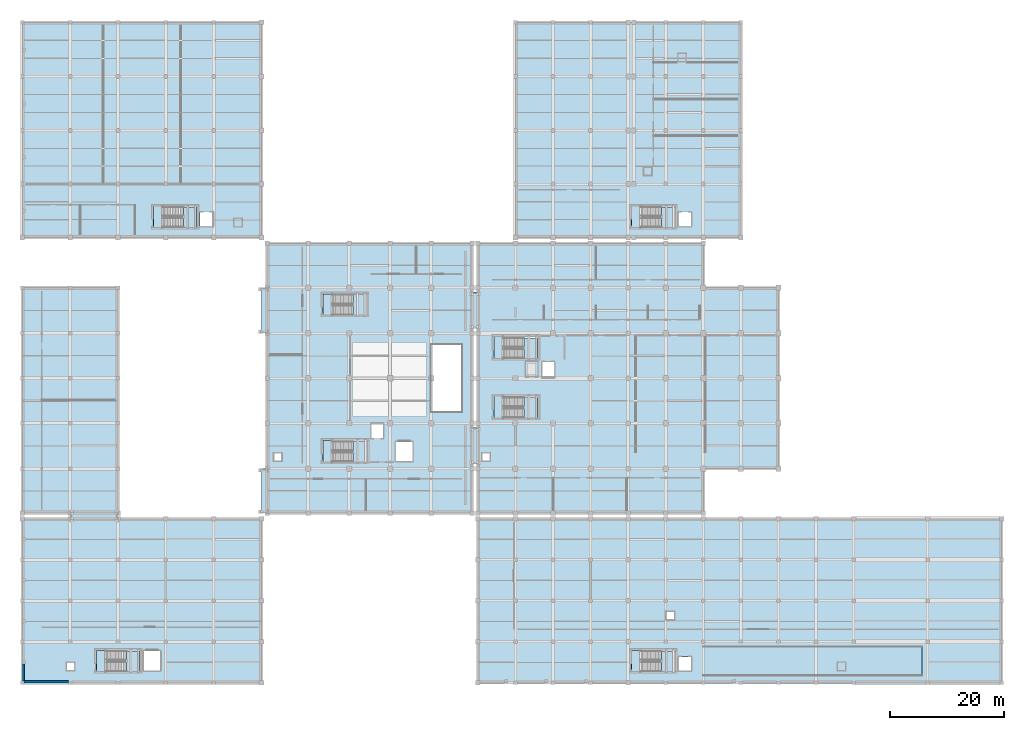
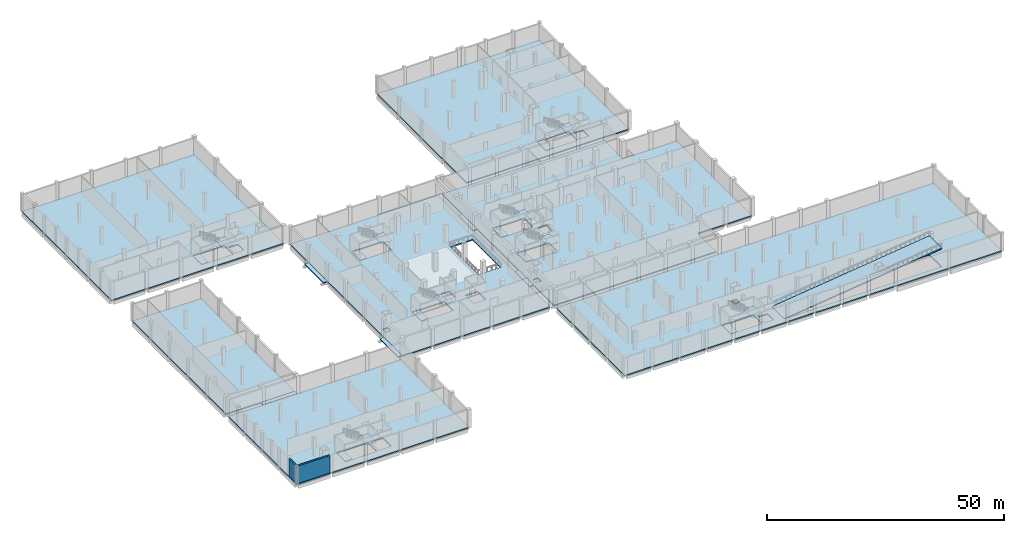
# One storey, part 11 of 31: 29 slabs, 2 walls, 8 elements without a shape of their own.
"""IFC4 building model written with IfcOpenShell, lengths in metres."""

from ifc_helpers import new_model, si_unit, direction, frame, frame_2d, origin, place, context, subcontext, project, spatial, polyline, rectangle, outline, extrude, material, layer, layer_set, type_object, element, aggregate, save


model = new_model("IFC4")

# Units and contexts
model_context = context("Model", 3, precision=1e-05, world=origin(), true_north=direction((0.0, 1.0)))
body_context = subcontext(model_context, "Body", "Model", "MODEL_VIEW")
ifc_project = project(units=[si_unit("LENGTHUNIT", "METRE"), si_unit("AREAUNIT", "SQUARE_METRE"), si_unit("VOLUMEUNIT", "CUBIC_METRE"), si_unit("PLANEANGLEUNIT", "RADIAN"), si_unit("MASSUNIT", "GRAM", prefix="KILO")], contexts=[model_context])

# Site, building, storey
site_placement = place(None, origin())
site = spatial("IfcSite", under=ifc_project, at=site_placement, CompositionType="ELEMENT")
building_placement = place(site_placement, origin())
building = spatial("IfcBuilding", under=site, at=building_placement, Name="Kelarvand Opera House", CompositionType="ELEMENT")
storey_placement = place(building_placement, frame((0.0, 0.0, -4.800048828125)))
storey = spatial("IfcBuildingStorey", under=building, at=storey_placement, Name="B1", CompositionType="ELEMENT", Elevation=-4.800048828125)

# Slabs
ifc_material = material(Name="Concrete C35/45", Category="concrete")
ifc_layer_1 = layer(ifc_material, 0.219970703125, Name="Concrete C35/45", Category="concrete")
ifc_layer_set_1 = layer_set([ifc_layer_1], Name="Concrete C35/45")
slab_type_1 = type_object("IfcSlabType", Name="Core Stair Entry Landing Slab 220", PredefinedType="LANDING", material=ifc_layer_set_1)
slab_1_placement = place(storey_placement, frame((0.0, 0.0, -0.219970703125)))
element("IfcSlab", 1, at=slab_1_placement, inside=storey, type_object=slab_type_1, Name="C1 Stair Entry Landing B1", PredefinedType="LANDING", context=body_context, shape_type="SweptSolid", body=[
    extrude(outline(polyline([(91.800048828125, 66.0), (93.52001953125, 66.0), (93.52001953125, 69.800048828125), (91.800048828125, 69.800048828125), (91.800048828125, 66.0)])), origin(), (0.0, 0.0, 1.0), 0.219970703125),
])
slab_2_placement = place(storey_placement, frame((0.0, 0.0, -0.219970703125)))
element("IfcSlab", 2, at=slab_2_placement, inside=storey, type_object=slab_type_1, Name="C2 Stair Entry Landing B1", PredefinedType="LANDING", context=body_context, shape_type="SweptSolid", body=[
    extrude(outline(polyline([(61.800048828125, 47.800048828125), (63.52001953125, 47.800048828125), (63.52001953125, 51.60009765625), (61.800048828125, 51.60009765625), (61.800048828125, 47.800048828125)])), origin(), (0.0, 0.0, 1.0), 0.219970703125),
])
slab_3_placement = place(storey_placement, frame((0.0, 0.0, -0.219970703125)))
element("IfcSlab", 3, at=slab_3_placement, inside=storey, type_object=slab_type_1, Name="C3 Stair Entry Landing B1", PredefinedType="LANDING", context=body_context, shape_type="SweptSolid", body=[
    extrude(outline(polyline([(61.800048828125, 73.60009765625), (63.52001953125, 73.60009765625), (63.52001953125, 77.300048828125), (61.800048828125, 77.300048828125), (61.800048828125, 73.60009765625)])), origin(), (0.0, 0.0, 1.0), 0.219970703125),
])
slab_4_placement = place(storey_placement, frame((0.0, 0.0, -0.219970703125)))
element("IfcSlab", 4, at=slab_4_placement, inside=storey, type_object=slab_type_1, Name="C4 Stair Entry Landing B1", PredefinedType="LANDING", context=body_context, shape_type="SweptSolid", body=[
    extrude(outline(polyline([(91.800048828125, 55.550048828125), (93.52001953125, 55.550048828125), (93.52001953125, 59.35009765625), (91.800048828125, 59.35009765625), (91.800048828125, 55.550048828125)])), origin(), (0.0, 0.0, 1.0), 0.219970703125),
])
slab_5_placement = place(storey_placement, frame((0.0, 0.0, -0.219970703125)))
element("IfcSlab", 5, at=slab_5_placement, inside=storey, type_object=slab_type_1, Name="C5 Stair Entry Landing B1", PredefinedType="LANDING", context=body_context, shape_type="SweptSolid", body=[
    extrude(outline(polyline([(32.0, 89.0), (33.719970703125, 89.0), (33.719970703125, 92.699951171875), (32.0, 92.699951171875), (32.0, 89.0)])), origin(), (0.0, 0.0, 1.0), 0.219970703125),
])
slab_6_placement = place(storey_placement, frame((0.0, 0.0, -0.219970703125)))
element("IfcSlab", 6, at=slab_6_placement, inside=storey, type_object=slab_type_1, Name="C6 Stair Entry Landing B1", PredefinedType="LANDING", context=body_context, shape_type="SweptSolid", body=[
    extrude(outline(polyline([(22.0, 11.0), (23.719970703125, 11.0), (23.719970703125, 14.699951171875), (22.0, 14.699951171875), (22.0, 11.0)])), origin(), (0.0, 0.0, 1.0), 0.219970703125),
])
slab_7_placement = place(storey_placement, frame((0.0, 0.0, -0.219970703125)))
element("IfcSlab", 7, at=slab_7_placement, inside=storey, type_object=slab_type_1, Name="C7 Stair Entry Landing B1", PredefinedType="LANDING", context=body_context, shape_type="SweptSolid", body=[
    extrude(outline(polyline([(116.0, 89.0), (117.719970703125, 89.0), (117.719970703125, 92.699951171875), (116.0, 92.699951171875), (116.0, 89.0)])), origin(), (0.0, 0.0, 1.0), 0.219970703125),
])
slab_8_placement = place(storey_placement, frame((0.0, 0.0, -0.219970703125)))
element("IfcSlab", 8, at=slab_8_placement, inside=storey, type_object=slab_type_1, Name="C8 Stair Entry Landing B1", PredefinedType="LANDING", context=body_context, shape_type="SweptSolid", body=[
    extrude(outline(polyline([(116.0, 11.0), (117.719970703125, 11.0), (117.719970703125, 14.699951171875), (116.0, 14.699951171875), (116.0, 11.0)])), origin(), (0.0, 0.0, 1.0), 0.219970703125),
])

# Stair, slab
stair_type = type_object("IfcStairType", Name="Dogleg Concrete Exit Stair 1660mm 28R STA-01", PredefinedType="HALF_TURN_STAIR", material=ifc_material)
stair_1_placement = place(storey_placement, origin())
stair_1 = element("IfcStair", 9, at=stair_1_placement, inside=storey, type_object=stair_type, Name="B1 Auditorium North Firefighting and Public Core C1 Stair ST-01", PredefinedType="HALF_TURN_STAIR")
ifc_layer_2 = layer(ifc_material, 0.199951171875, Name="Concrete C35/45", Category="concrete")
ifc_layer_set_2 = layer_set([ifc_layer_2], Name="Concrete C35/45")
slab_type_2 = type_object("IfcSlabType", Name="Precast Stair Half-Landing Slab 200", PredefinedType="LANDING", material=ifc_layer_set_2)
slab_9_placement = place(storey_placement, frame((0.0, 0.0, 2.199951171875)))
slab_9 = element("IfcSlab", 10, at=slab_9_placement, type_object=slab_type_2, Name="ST-01 landing 1", PredefinedType="LANDING", context=body_context, shape_type="SweptSolid", body=[
    extrude(outline(polyline([(97.10009765625, 66.0), (99.60009765625, 66.0), (99.60009765625, 69.60009765625), (97.10009765625, 69.60009765625), (97.10009765625, 66.0)])), origin(), (0.0, 0.0, 1.0), 0.2001953125),
])
aggregate(stair_1, [slab_9])

stair_2_placement = place(storey_placement, origin())
stair_2 = element("IfcStair", 11, at=stair_2_placement, inside=storey, type_object=stair_type, Name="B1 Stage House South Firefighting and Goods Core C2 Stair ST-02", PredefinedType="HALF_TURN_STAIR")
slab_10_placement = place(storey_placement, frame((0.0, 0.0, 2.199951171875)))
slab_10 = element("IfcSlab", 12, at=slab_10_placement, type_object=slab_type_2, Name="ST-02 landing 1", PredefinedType="LANDING", context=body_context, shape_type="SweptSolid", body=[
    extrude(outline(polyline([(67.10009765625, 47.800048828125), (69.60009765625, 47.800048828125), (69.60009765625, 51.39990234375), (67.10009765625, 51.39990234375), (67.10009765625, 47.800048828125)])), origin(), (0.0, 0.0, 1.0), 0.2001953125),
])
aggregate(stair_2, [slab_10])

stair_3_placement = place(storey_placement, origin())
stair_3 = element("IfcStair", 13, at=stair_3_placement, inside=storey, type_object=stair_type, Name="B1 Fly Tower North Technical Core C3 Stair ST-03", PredefinedType="HALF_TURN_STAIR")
slab_11_placement = place(storey_placement, frame((0.0, 0.0, 2.199951171875)))
slab_11 = element("IfcSlab", 14, at=slab_11_placement, type_object=slab_type_2, Name="ST-03 landing 1", PredefinedType="LANDING", context=body_context, shape_type="SweptSolid", body=[
    extrude(outline(polyline([(67.10009765625, 73.60009765625), (69.5, 73.60009765625), (69.5, 77.199951171875), (67.10009765625, 77.199951171875), (67.10009765625, 73.60009765625)])), origin(), (0.0, 0.0, 1.0), 0.2001953125),
])
aggregate(stair_3, [slab_11])

stair_4_placement = place(storey_placement, origin())
stair_4 = element("IfcStair", 15, at=stair_4_placement, inside=storey, type_object=stair_type, Name="B1 Auditorium South Foyer Core C4 Stair ST-04", PredefinedType="HALF_TURN_STAIR")
slab_12_placement = place(storey_placement, frame((0.0, 0.0, 2.199951171875)))
slab_12 = element("IfcSlab", 16, at=slab_12_placement, type_object=slab_type_2, Name="ST-04 landing 1", PredefinedType="LANDING", context=body_context, shape_type="SweptSolid", body=[
    extrude(outline(polyline([(97.10009765625, 55.550048828125), (99.60009765625, 55.550048828125), (99.60009765625, 59.14990234375), (97.10009765625, 59.14990234375), (97.10009765625, 55.550048828125)])), origin(), (0.0, 0.0, 1.0), 0.2001953125),
])
aggregate(stair_4, [slab_12])

stair_5_placement = place(storey_placement, origin())
stair_5 = element("IfcStair", 17, at=stair_5_placement, inside=storey, type_object=stair_type, Name="B1 Rehearsal Pavilion Core C5 Stair ST-05", PredefinedType="HALF_TURN_STAIR")
slab_13_placement = place(storey_placement, frame((0.0, 0.0, 2.199951171875)))
slab_13 = element("IfcSlab", 18, at=slab_13_placement, type_object=slab_type_2, Name="ST-05 landing 1", PredefinedType="LANDING", context=body_context, shape_type="SweptSolid", body=[
    extrude(outline(polyline([(37.300048828125, 89.0), (39.699951171875, 89.0), (39.699951171875, 92.60009765625), (37.300048828125, 92.60009765625), (37.300048828125, 89.0)])), origin(), (0.0, 0.0, 1.0), 0.2001953125),
])
aggregate(stair_5, [slab_13])

stair_6_placement = place(storey_placement, origin())
stair_6 = element("IfcStair", 19, at=stair_6_placement, inside=storey, type_object=stair_type, Name="B1 Scenery Workshop and Freight Core C6 Stair ST-06", PredefinedType="HALF_TURN_STAIR")
slab_14_placement = place(storey_placement, frame((0.0, 0.0, 2.199951171875)))
slab_14 = element("IfcSlab", 20, at=slab_14_placement, type_object=slab_type_2, Name="ST-06 landing 1", PredefinedType="LANDING", context=body_context, shape_type="SweptSolid", body=[
    extrude(outline(polyline([(27.300048828125, 11.0), (29.699951171875, 11.0), (29.699951171875, 14.60009765625), (27.300048828125, 14.60009765625), (27.300048828125, 11.0)])), origin(), (0.0, 0.0, 1.0), 0.2001953125),
])
aggregate(stair_6, [slab_14])

stair_7_placement = place(storey_placement, origin())
stair_7 = element("IfcStair", 21, at=stair_7_placement, inside=storey, type_object=stair_type, Name="B1 North Park Foyer Core C7 Stair ST-07", PredefinedType="HALF_TURN_STAIR")
slab_15_placement = place(storey_placement, frame((0.0, 0.0, 2.199951171875)))
slab_15 = element("IfcSlab", 22, at=slab_15_placement, type_object=slab_type_2, Name="ST-07 landing 1", PredefinedType="LANDING", context=body_context, shape_type="SweptSolid", body=[
    extrude(outline(polyline([(121.300048828125, 89.0), (123.699951171875, 89.0), (123.699951171875, 92.60009765625), (121.300048828125, 92.60009765625), (121.300048828125, 89.0)])), origin(), (0.0, 0.0, 1.0), 0.2001953125),
])
aggregate(stair_7, [slab_15])

stair_8_placement = place(storey_placement, origin())
stair_8 = element("IfcStair", 23, at=stair_8_placement, inside=storey, type_object=stair_type, Name="B1 South Dressing and Production Core C8 Stair ST-08", PredefinedType="HALF_TURN_STAIR")
slab_16_placement = place(storey_placement, frame((0.0, 0.0, 2.199951171875)))
slab_16 = element("IfcSlab", 24, at=slab_16_placement, type_object=slab_type_2, Name="ST-08 landing 1", PredefinedType="LANDING", context=body_context, shape_type="SweptSolid", body=[
    extrude(outline(polyline([(121.300048828125, 11.0), (123.699951171875, 11.0), (123.699951171875, 14.60009765625), (121.300048828125, 14.60009765625), (121.300048828125, 11.0)])), origin(), (0.0, 0.0, 1.0), 0.2001953125),
])
aggregate(stair_8, [slab_16])

# Slabs
ifc_layer_3 = layer(ifc_material, 0.260009765625, Name="Concrete C35/45", Category="concrete")
ifc_layer_set_3 = layer_set([ifc_layer_3], Name="Concrete C35/45")
slab_type_3 = type_object("IfcSlabType", Name="Seismic Bridge Deck Slab 260", PredefinedType="FLOOR", material=ifc_layer_set_3)
slab_17_placement = place(storey_placement, frame((0.0, 0.0, -0.260009765625)))
element("IfcSlab", 25, at=slab_17_placement, inside=storey, type_object=slab_type_3, Name="Seismic Joint Sliding Bridge BR-JW-N B1", PredefinedType="FLOOR", context=body_context, shape_type="SweptSolid", body=[
    extrude(outline(polyline([(51.0, 70.39990234375), (52.0, 70.39990234375), (52.0, 78.39990234375), (51.0, 78.39990234375), (51.0, 70.39990234375)])), origin(), (0.0, 0.0, 1.0), 0.260009765625),
])
slab_18_placement = place(storey_placement, frame((0.0, 0.0, -0.260009765625)))
element("IfcSlab", 26, at=slab_18_placement, inside=storey, type_object=slab_type_3, Name="Seismic Joint Sliding Bridge BR-JW-S B1", PredefinedType="FLOOR", context=body_context, shape_type="SweptSolid", body=[
    extrude(outline(polyline([(51.0, 38.800048828125), (52.0, 38.800048828125), (52.0, 46.60009765625), (51.0, 46.60009765625), (51.0, 38.800048828125)])), origin(), (0.0, 0.0, 1.0), 0.260009765625),
])
slab_19_placement = place(storey_placement, frame((0.0, 0.0, -0.260009765625)))
element("IfcSlab", 27, at=slab_19_placement, inside=storey, type_object=slab_type_3, Name="Seismic Joint Sliding Bridge BR-JP-N B1", PredefinedType="FLOOR", context=body_context, shape_type="SweptSolid", body=[
    extrude(outline(polyline([(88.0, 71.199951171875), (89.0, 71.199951171875), (89.0, 77.60009765625), (88.0, 77.60009765625), (88.0, 71.199951171875)])), origin(), (0.0, 0.0, 1.0), 0.260009765625),
])
slab_20_placement = place(storey_placement, frame((0.0, 0.0, -0.260009765625)))
element("IfcSlab", 28, at=slab_20_placement, inside=storey, type_object=slab_type_3, Name="Seismic Joint Sliding Bridge BR-JP-S B1", PredefinedType="FLOOR", context=body_context, shape_type="SweptSolid", body=[
    extrude(outline(polyline([(88.0, 47.39990234375), (89.0, 47.39990234375), (89.0, 53.800048828125), (88.0, 53.800048828125), (88.0, 47.39990234375)])), origin(), (0.0, 0.0, 1.0), 0.260009765625),
])
slab_21_placement = place(storey_placement, frame((0.0, 0.0, -0.260009765625)))
element("IfcSlab", 29, at=slab_21_placement, inside=storey, type_object=slab_type_3, Name="Seismic Joint Sliding Bridge BR-JS-W B1", PredefinedType="FLOOR", context=body_context, shape_type="SweptSolid", body=[
    extrude(outline(polyline([(17.39990234375, 37.800048828125), (25.800048828125, 37.800048828125), (25.800048828125, 38.800048828125), (17.39990234375, 38.800048828125), (17.39990234375, 37.800048828125)])), origin(), (0.0, 0.0, 1.0), 0.260009765625),
])
ifc_layer_4 = layer(ifc_material, 0.300048828125, Name="Concrete C35/45", Category="concrete")
ifc_layer_set_4 = layer_set([ifc_layer_4], Name="Concrete C35/45")
slab_type_4 = type_object("IfcSlabType", Name="Suspended Floor Slab 300", PredefinedType="FLOOR", material=ifc_layer_set_4)
slab_22_placement = place(storey_placement, frame((0.0, 0.0, -0.300048828125)))
element("IfcSlab", 30, at=slab_22_placement, inside=storey, type_object=slab_type_4, Name="V1 B1 Structural Slab 2", PredefinedType="FLOOR", context=body_context, shape_type="SweptSolid", body=[
    extrude(outline(polyline([(128.60009765625, 38.800048828125), (89.0, 38.800048828125), (89.0, 46.60009765625), (89.0, 78.39990234375), (89.0, 86.199951171875), (128.60009765625, 86.199951171875), (128.60009765625, 78.39990234375), (141.800048828125, 78.39990234375), (141.800048828125, 46.60009765625), (128.60009765625, 46.60009765625), (128.60009765625, 38.800048828125)]), holes=[polyline([(89.800048828125, 49.300048828125), (91.10009765625, 49.300048828125), (91.10009765625, 48.0), (89.800048828125, 48.0), (89.800048828125, 49.300048828125)]), polyline([(91.800048828125, 59.35009765625), (99.60009765625, 59.35009765625), (99.60009765625, 55.550048828125), (91.800048828125, 55.550048828125), (91.800048828125, 59.35009765625)]), polyline([(100.300048828125, 65.35009765625), (102.39990234375, 65.35009765625), (102.39990234375, 62.699951171875), (100.300048828125, 62.699951171875), (100.300048828125, 65.35009765625)]), polyline([(91.800048828125, 69.800048828125), (99.60009765625, 69.800048828125), (99.60009765625, 66.0), (91.800048828125, 66.0), (91.800048828125, 69.800048828125)])]), origin(), (0.0, 0.0, 1.0), 0.300048828125),
])
slab_23_placement = place(storey_placement, frame((0.0, 0.0, -0.300048828125)))
element("IfcSlab", 31, at=slab_23_placement, inside=storey, type_object=slab_type_4, Name="V2 B1 Structural Slab 10", PredefinedType="FLOOR", context=body_context, shape_type="SweptSolid", body=[
    extrude(outline(polyline([(88.0, 38.800048828125), (88.0, 86.199951171875), (52.0, 86.199951171875), (52.0, 38.800048828125), (88.0, 38.800048828125)]), holes=[polyline([(53.199951171875, 49.300048828125), (54.5, 49.300048828125), (54.5, 48.0), (53.199951171875, 48.0), (53.199951171875, 49.300048828125)]), polyline([(77.550048828125, 51.35009765625), (77.550048828125, 47.89990234375), (74.60009765625, 47.89990234375), (74.60009765625, 51.35009765625), (77.550048828125, 51.35009765625)]), polyline([(69.60009765625, 51.60009765625), (69.60009765625, 47.800048828125), (61.800048828125, 47.800048828125), (61.800048828125, 51.60009765625), (69.60009765625, 51.60009765625)]), polyline([(70.300048828125, 54.39990234375), (72.39990234375, 54.39990234375), (72.39990234375, 51.949951171875), (70.300048828125, 51.949951171875), (70.300048828125, 54.39990234375)]), polyline([(86.199951171875, 68.39990234375), (86.199951171875, 56.60009765625), (80.800048828125, 56.60009765625), (80.800048828125, 68.39990234375), (86.199951171875, 68.39990234375)]), polyline([(69.5, 77.300048828125), (69.5, 73.60009765625), (61.800048828125, 73.60009765625), (61.800048828125, 77.300048828125), (69.5, 77.300048828125)])]), origin(), (0.0, 0.0, 1.0), 0.300048828125),
])
slab_24_placement = place(storey_placement, frame((0.0, 0.0, -0.300048828125)))
element("IfcSlab", 32, at=slab_24_placement, inside=storey, type_object=slab_type_4, Name="V3 B1 Structural Slab 19", PredefinedType="FLOOR", context=body_context, shape_type="SweptSolid", body=[
    extrude(outline(polyline([(51.0, 87.199951171875), (51.0, 125.0), (9.0, 125.0), (9.0, 87.199951171875), (51.0, 87.199951171875)]), holes=[polyline([(40.199951171875, 89.199951171875), (40.199951171875, 91.64990234375), (42.39990234375, 91.64990234375), (42.39990234375, 89.199951171875), (40.199951171875, 89.199951171875)]), polyline([(32.0, 89.0), (32.0, 92.699951171875), (39.699951171875, 92.699951171875), (39.699951171875, 89.0), (32.0, 89.0)])]), origin(), (0.0, 0.0, 1.0), 0.300048828125),
])
slab_25_placement = place(storey_placement, frame((0.0, 0.0, -0.300048828125)))
element("IfcSlab", 33, at=slab_25_placement, inside=storey, type_object=slab_type_4, Name="V4 B1 Structural Slab 26", PredefinedType="FLOOR", context=body_context, shape_type="SweptSolid", body=[
    extrude(outline(polyline([(9.0, 9.0), (9.0, 37.800048828125), (51.0, 37.800048828125), (51.0, 9.0), (9.0, 9.0)]), holes=[polyline([(16.800048828125, 11.199951171875), (16.800048828125, 12.5), (18.10009765625, 12.5), (18.10009765625, 11.199951171875), (16.800048828125, 11.199951171875)]), polyline([(22.0, 14.699951171875), (29.699951171875, 14.699951171875), (29.699951171875, 11.0), (22.0, 11.0), (22.0, 14.699951171875)]), polyline([(30.300048828125, 14.64990234375), (33.25, 14.64990234375), (33.25, 11.10009765625), (30.300048828125, 11.10009765625), (30.300048828125, 14.64990234375)])]), origin(), (0.0, 0.0, 1.0), 0.300048828125),
])
slab_26_placement = place(storey_placement, frame((0.0, 0.0, -0.300048828125)))
element("IfcSlab", 34, at=slab_26_placement, inside=storey, type_object=slab_type_4, Name="V4 B1 Structural Slab 27", PredefinedType="FLOOR", context=body_context, shape_type="SweptSolid", body=[
    extrude(outline(polyline([(9.0, 38.800048828125), (9.0, 78.39990234375), (25.800048828125, 78.39990234375), (25.800048828125, 38.800048828125), (9.0, 38.800048828125)])), origin(), (0.0, 0.0, 1.0), 0.300048828125),
])
slab_27_placement = place(storey_placement, frame((0.0, 0.0, -0.300048828125)))
element("IfcSlab", 35, at=slab_27_placement, inside=storey, type_object=slab_type_4, Name="V5 B1 Structural Slab 34", PredefinedType="FLOOR", context=body_context, shape_type="SweptSolid", body=[
    extrude(outline(polyline([(135.199951171875, 87.199951171875), (135.199951171875, 125.0), (95.60009765625, 125.0), (95.60009765625, 87.199951171875), (135.199951171875, 87.199951171875)]), holes=[polyline([(124.300048828125, 89.199951171875), (124.300048828125, 91.64990234375), (126.5, 91.64990234375), (126.5, 89.199951171875), (124.300048828125, 89.199951171875)]), polyline([(116.0, 89.0), (116.0, 92.699951171875), (123.699951171875, 92.699951171875), (123.699951171875, 89.0), (116.0, 89.0)])]), origin(), (0.0, 0.0, 1.0), 0.300048828125),
])
slab_28_placement = place(storey_placement, frame((0.0, 0.0, -0.300048828125)))
element("IfcSlab", 36, at=slab_28_placement, inside=storey, type_object=slab_type_4, Name="V6 B1 Structural Slab 39", PredefinedType="FLOOR", context=body_context, shape_type="SweptSolid", body=[
    extrude(outline(polyline([(181.0, 9.0), (181.0, 37.800048828125), (89.0, 37.800048828125), (89.0, 9.0), (181.0, 9.0)]), holes=[polyline([(124.300048828125, 13.550048828125), (126.5, 13.550048828125), (126.5, 11.10009765625), (124.300048828125, 11.10009765625), (124.300048828125, 13.550048828125)]), polyline([(128.6201171875, 15.39990234375), (167.0, 15.39990234375), (167.0, 10.199951171875), (128.6201171875, 10.199951171875), (128.6201171875, 15.39990234375)]), polyline([(123.699951171875, 14.699951171875), (123.699951171875, 11.0), (116.0, 11.0), (116.0, 14.699951171875), (123.699951171875, 14.699951171875)]), polyline([(123.5, 21.5), (123.5, 20.199951171875), (122.199951171875, 20.199951171875), (122.199951171875, 21.5), (123.5, 21.5)])]), origin(), (0.0, 0.0, 1.0), 0.300048828125),
])
ifc_layer_5 = layer(ifc_material, 0.300048828125, Name="Concrete C35/45", Category="concrete")
ifc_layer_set_5 = layer_set([ifc_layer_5], Name="Concrete C35/45")
slab_type_5 = type_object("IfcSlabType", Name="Vehicle Car Park Structural Ramp Slab 300", PredefinedType="FLOOR", material=ifc_layer_set_5)
slab_29_placement = place(storey_placement, frame((128.60009765625, 10.199951171875, 0.0), z_axis=(-0.124036287512, 0.0, 0.992277682597), x_axis=(0.992277682597, 0.0, 0.124036287512)))
element("IfcSlab", 37, at=slab_29_placement, inside=storey, type_object=slab_type_5, Name="Vehicle Car Park Structural Ramp Slab VR-01 (VRS-300)", PredefinedType="FLOOR", context=body_context, shape_type="SweptSolid", body=[
    extrude(outline(polyline([(0.0, 0.0), (38.698746346127564, 0.0), (38.698746346127564, 5.199951171875), (0.0, 5.199951171875), (0.0, 0.0)])), origin(), (0.0, 0.0, -1.0), 0.300048828125),
])

# Walls
ifc_layer_6 = layer(ifc_material, 0.419921875, Name="Concrete C35/45", Category="concrete")
ifc_layer_set_6 = layer_set([ifc_layer_6], Name="Concrete C35/45")
wall_type = type_object("IfcWallType", Name="Basement Perimeter Retaining Wall 420", PredefinedType="SHEAR", material=ifc_layer_set_6)
wall_1_placement = place(storey_placement, frame((9.2099609375, 9.324951171875, 0.0), z_axis=(0.0, 0.0, 1.0), x_axis=(0.0, 1.0, 0.0)))
element("IfcWall", 38, at=wall_1_placement, inside=storey, type_object=wall_type, Name="V4 B1 Retaining Wall 466", PredefinedType="SHEAR", context=body_context, shape_type="SweptSolid", body=[
    extrude(rectangle(XDim=2.97509765625, YDim=0.419921875, at=frame_2d((1.487548828125, 0.0))), origin(), (0.0, 0.0, 1.0), 4.5),
])
wall_2_placement = place(storey_placement, frame((17.074951171875, 9.2099609375, 0.0), z_axis=(0.0, 0.0, 1.0), x_axis=(-1.0, 0.0, 0.0)))
element("IfcWall", 39, at=wall_2_placement, inside=storey, type_object=wall_type, Name="V4 B1 Retaining Wall 487", PredefinedType="SHEAR", context=body_context, shape_type="SweptSolid", body=[
    extrude(rectangle(XDim=7.75, YDim=0.419921875, at=frame_2d((3.875, 0.0))), origin(), (0.0, 0.0, 1.0), 4.5),
])

save(model, "model.ifc")
